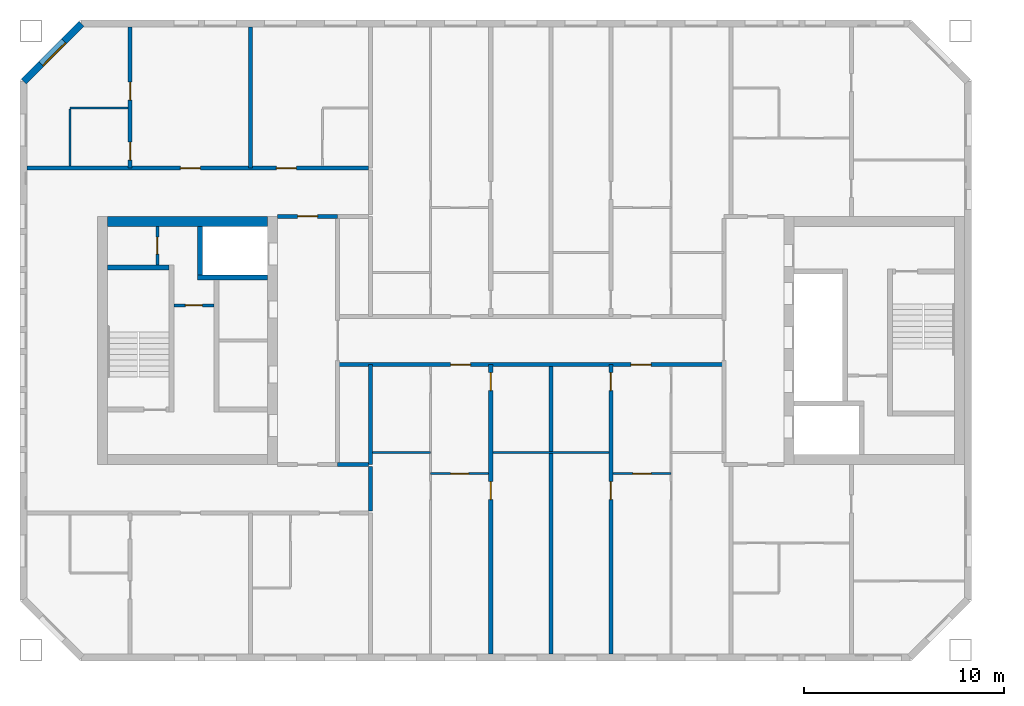
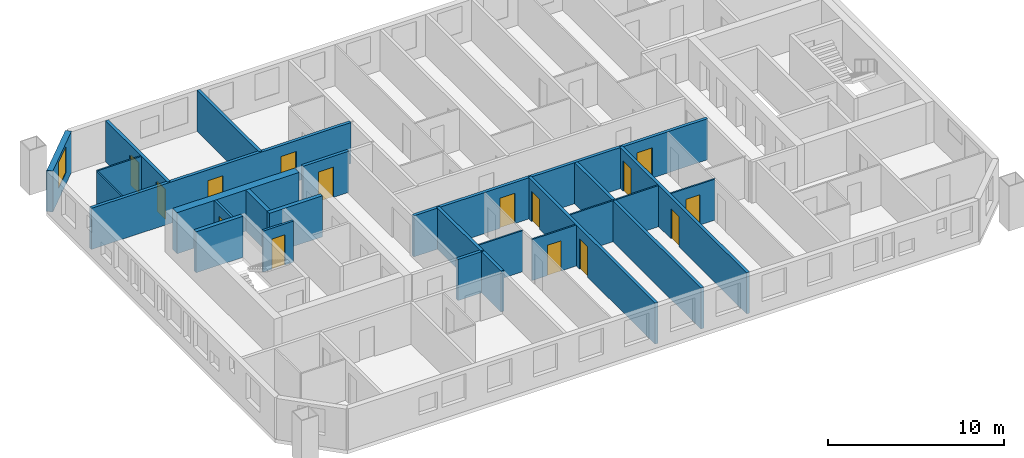
# One storey, part 4 of 16: 24 walls, 15 doors, 1 window, 16 openings.
"""IFC4 building model written with IfcOpenShell, lengths in metres."""

from ifc_helpers import new_model, si_unit, direction, frame, frame_2d, origin, place, context, subcontext, project, spatial, rectangle, extrude, material, layer, layer_set, type_object, element, fill, save


model = new_model("IFC4")

# Units and contexts
model_context = context("Model", 3, precision=1e-05, world=origin(), true_north=direction((0.0, 1.0)))
body_context = subcontext(model_context, "Body", "Model", "MODEL_VIEW")
ifc_project = project(units=[si_unit("LENGTHUNIT", "METRE"), si_unit("AREAUNIT", "SQUARE_METRE"), si_unit("VOLUMEUNIT", "CUBIC_METRE"), si_unit("PLANEANGLEUNIT", "RADIAN"), si_unit("MASSUNIT", "GRAM", prefix="KILO")], contexts=[model_context])

# Site, building, storey
site_placement = place(None, origin())
site = spatial("IfcSite", under=ifc_project, at=site_placement, CompositionType="ELEMENT")
building_placement = place(site_placement, origin())
building = spatial("IfcBuilding", under=site, at=building_placement, Name="Tuart Gate Housing", CompositionType="ELEMENT")
storey_placement = place(building_placement, frame((0.0, 0.0, 151.60009765625)))
storey = spatial("IfcBuildingStorey", under=building, at=storey_placement, Name="L42", CompositionType="ELEMENT", Elevation=151.60009765625)

# Wall, opening, window
ifc_material_1 = material(Name="Brick", Category="masonry")
ifc_layer_1 = layer(ifc_material_1, 0.360107421875)
ifc_layer_set_1 = layer_set([ifc_layer_1], Name="Brick pier and spandrel wall 360")
wall_type_1 = type_object("IfcWallType", Name="Brick pier and spandrel wall 360", PredefinedType="STANDARD", material=ifc_layer_set_1)
wall_1_placement = place(storey_placement, frame((31.57470703125, 85.820068359375, 0.0), z_axis=(0.0, 0.0, 1.0), x_axis=(-0.707106781187, -0.707106781187, 0.0)))
wall_1 = element("IfcWall", 1, at=wall_1_placement, inside=storey, type_object=wall_type_1, Name="External wall A-NW L42", PredefinedType="STANDARD", context=body_context, shape_type="SweptSolid", body=[
    extrude(rectangle(XDim=4.09375, YDim=0.360107421875, at=frame_2d((2.046875, 0.0))), origin(), (0.0, 0.0, 1.0), 2.849853515625),
])
opening_1_placement = place(wall_1_placement, frame((1.2470703125, 0.0, 0.800048828125)))
opening_1 = element("IfcOpeningElement", 2, at=opening_1_placement, cuts=wall_1, Name="Opening W1", PredefinedType="OPENING", context=body_context, shape_type="SweptSolid", body=[
    extrude(rectangle(XDim=1.60009765625, YDim=1.800048828125, at=frame_2d((0.800048828125, 0.89990234375))), frame((0.0, 0.18994140625, 0.0), z_axis=(0.0, -1.0, 0.0), x_axis=(1.0, 0.0, 0.0)), (0.0, 0.0, 1.0), 0.380126953125),
])
ifc_material_2 = material(Name="Aluminium frame with clear glass", Category="aluminium")
window_type = type_object("IfcWindowType", Name="Punched window 1600 x 1800", PartitioningType="SINGLE_PANEL", PredefinedType="WINDOW", material=ifc_material_2)
window_placement = place(opening_1_placement, origin())
window = element("IfcWindow", 3, at=window_placement, inside=storey, type_object=window_type, Name="Window W1", OverallHeight=1.800048828125, OverallWidth=1.60009765625, PartitioningType="SINGLE_PANEL", PredefinedType="WINDOW", context=body_context, shape_type="SweptSolid", body=[
    extrude(rectangle(XDim=1.60009765625, YDim=1.800048828125, at=frame_2d((0.800048828125, 0.89990234375))), frame((0.0, 0.150146484375, 0.0), z_axis=(0.0, -1.0, 0.0), x_axis=(1.0, 0.0, 0.0)), (0.0, 0.0, 1.0), 0.06005859375),
])
fill(opening_1, window)

# Wall, opening, door
ifc_material_3 = material(Name="Plasterboard partition")
ifc_layer_2 = layer(ifc_material_3, 0.14990234375)
ifc_layer_set_2 = layer_set([ifc_layer_2], Name="Core partition 150")
wall_type_2 = type_object("IfcWallType", Name="Core partition 150", PredefinedType="PARTITIONING", material=ifc_layer_set_2)
wall_2_placement = place(storey_placement, frame((38.18505859375, 71.75, 0.0), z_axis=(0.0, 0.0, 1.0), x_axis=(-1.0, 0.0, 0.0)))
wall_2 = element("IfcWall", 4, at=wall_2_placement, inside=storey, type_object=wall_type_2, Name="Core partition AK.3", PredefinedType="PARTITIONING", context=body_context, shape_type="SweptSolid", body=[
    extrude(rectangle(XDim=2.0, YDim=0.14990234375, at=frame_2d((1.0, 0.0))), origin(), (0.0, 0.0, 1.0), 2.849853515625),
])
opening_2_placement = place(wall_2_placement, frame((0.574951171875, 0.0, 0.0)))
opening_2 = element("IfcOpeningElement", 5, at=opening_2_placement, cuts=wall_2, Name="Opening D1539", PredefinedType="OPENING", context=body_context, shape_type="SweptSolid", body=[
    extrude(rectangle(XDim=0.85009765625, YDim=2.10009765625, at=frame_2d((0.425048828125, 1.050048828125))), frame((0.0, 0.0849609375, 0.0), z_axis=(0.0, -1.0, 0.0), x_axis=(1.0, 0.0, 0.0)), (0.0, 0.0, 1.0), 0.169921875),
])
ifc_material_4 = material(Name="Steel fire door", Category="steel")
door_type_1 = type_object("IfcDoorType", Name="Riser door 850 x 2100 RH", OperationType="SINGLE_SWING_RIGHT", PredefinedType="DOOR", material=ifc_material_4)
door_1_placement = place(opening_2_placement, frame((0.85009765625, 0.0, 0.0), z_axis=(0.0, 0.0, 1.0), x_axis=(-1.0, 0.0, 0.0)))
door_1 = element("IfcDoor", 6, at=door_1_placement, inside=storey, type_object=door_type_1, Name="Service room door AK.E1", OperationType="SINGLE_SWING_RIGHT", OverallHeight=2.10009765625, OverallWidth=0.85009765625, PredefinedType="DOOR", context=body_context, shape_type="SweptSolid", body=[
    extrude(rectangle(XDim=0.85009765625, YDim=2.10009765625, at=frame_2d((0.425048828125, 1.050048828125))), frame((0.0, 0.025146484375, 0.0), z_axis=(0.0, -1.0, 0.0), x_axis=(1.0, 0.0, 0.0)), (0.0, 0.0, 1.0), 0.050048828125),
])
fill(opening_2, door_1)

wall_3_placement = place(storey_placement, frame((35.360107421875, 75.699951171875, 0.0), z_axis=(0.0, 0.0, 1.0), x_axis=(0.0, -1.0, 0.0)))
wall_3 = element("IfcWall", 7, at=wall_3_placement, inside=storey, type_object=wall_type_2, Name="Core partition AK.10", PredefinedType="PARTITIONING", context=body_context, shape_type="SweptSolid", body=[
    extrude(rectangle(XDim=1.925048828125, YDim=0.14990234375, at=frame_2d((0.96240234375, 0.0))), origin(), (0.0, 0.0, 1.0), 2.849853515625),
])
opening_3_placement = place(wall_3_placement, frame((0.53759765625, 0.0, 0.0)))
opening_3 = element("IfcOpeningElement", 8, at=opening_3_placement, cuts=wall_3, Name="Opening D1537", PredefinedType="OPENING", context=body_context, shape_type="SweptSolid", body=[
    extrude(rectangle(XDim=0.85009765625, YDim=2.10009765625, at=frame_2d((0.425048828125, 1.050048828125))), frame((0.0, 0.0849609375, 0.0), z_axis=(0.0, -1.0, 0.0), x_axis=(1.0, 0.0, 0.0)), (0.0, 0.0, 1.0), 0.169921875),
])
ifc_material_5 = material(Name="Steel fire door", Category="steel")
door_type_2 = type_object("IfcDoorType", Name="Service door 850 x 2100", OperationType="SINGLE_SWING_LEFT", PredefinedType="DOOR", material=ifc_material_5)
door_2_placement = place(opening_3_placement, origin())
door_2 = element("IfcDoor", 9, at=door_2_placement, inside=storey, type_object=door_type_2, Name="Service room door AK.E2", OperationType="SINGLE_SWING_LEFT", OverallHeight=2.10009765625, OverallWidth=0.85009765625, PredefinedType="DOOR", context=body_context, shape_type="SweptSolid", body=[
    extrude(rectangle(XDim=0.85009765625, YDim=2.10009765625, at=frame_2d((0.425048828125, 1.050048828125))), frame((0.0, 0.02490234375, 0.0), z_axis=(0.0, -1.0, 0.0), x_axis=(1.0, 0.0, 0.0)), (0.0, 0.0, 1.0), 0.050048828125),
])
fill(opening_3, door_2)

# Walls
ifc_material_6 = material(Name="Concrete C40", Category="concrete")
ifc_layer_3 = layer(ifc_material_6, 0.25)
ifc_layer_set_3 = layer_set([ifc_layer_3], Name="Core wall 250 C40")
wall_type_3 = type_object("IfcWallType", Name="Core wall 250 C40", PredefinedType="SHEAR", material=ifc_layer_set_3)
wall_4_placement = place(storey_placement, frame((35.93505859375, 73.64990234375, 0.0), z_axis=(0.0, 0.0, 1.0), x_axis=(-1.0, 0.0, 0.0)))
element("IfcWall", 10, at=wall_4_placement, inside=storey, type_object=wall_type_3, Name="Core wall AK.1", PredefinedType="SHEAR", context=body_context, shape_type="SweptSolid", body=[
    extrude(rectangle(XDim=3.074951171875, YDim=0.25, at=frame_2d((1.53759765625, 0.0))), origin(), (0.0, 0.0, 1.0), 2.849853515625),
])
wall_5_placement = place(storey_placement, frame((40.860107421875, 73.14990234375, 0.0), z_axis=(0.0, 0.0, 1.0), x_axis=(-1.0, 0.0, 0.0)))
element("IfcWall", 11, at=wall_5_placement, inside=storey, type_object=wall_type_3, Name="Core wall AK.2", PredefinedType="SHEAR", context=body_context, shape_type="SweptSolid", body=[
    extrude(rectangle(XDim=3.4951171875, YDim=0.25, at=frame_2d((1.74755859375, 0.0))), origin(), (0.0, 0.0, 1.0), 2.849853515625),
])
wall_6_placement = place(storey_placement, frame((37.489990234375, 75.699951171875, 0.0), z_axis=(0.0, 0.0, 1.0), x_axis=(0.0, -1.0, 0.0)))
element("IfcWall", 12, at=wall_6_placement, inside=storey, type_object=wall_type_3, Name="Core wall AK.8", PredefinedType="SHEAR", context=body_context, shape_type="SweptSolid", body=[
    extrude(rectangle(XDim=2.425048828125, YDim=0.25, at=frame_2d((1.21240234375, 0.0))), origin(), (0.0, 0.0, 1.0), 2.849853515625),
])
ifc_material_7 = material(Name="Concrete C40", Category="concrete")
ifc_layer_4 = layer(ifc_material_7, 0.5)
ifc_layer_set_4 = layer_set([ifc_layer_4], Name="Core wall 500 C40")
wall_type_4 = type_object("IfcWallType", Name="Core wall 500 C40", PredefinedType="SHEAR", material=ifc_layer_set_4)
wall_7_placement = place(storey_placement, frame((40.860107421875, 75.949951171875, 0.0), z_axis=(0.0, 0.0, 1.0), x_axis=(-1.0, 0.0, 0.0)))
element("IfcWall", 13, at=wall_7_placement, inside=storey, type_object=wall_type_4, Name="Core wall AK south", PredefinedType="SHEAR", context=body_context, shape_type="SweptSolid", body=[
    extrude(rectangle(XDim=8.0, YDim=0.5, at=frame_2d((4.0, 0.0))), origin(), (0.0, 0.0, 1.0), 2.849853515625),
])
ifc_material_8 = material(Name="Concrete masonry 15 MPa", Category="masonry")
ifc_layer_5 = layer(ifc_material_8, 0.199951171875)
ifc_layer_set_5 = layer_set([ifc_layer_5], Name="Corridor wall masonry 200")
wall_type_5 = type_object("IfcWallType", Name="Corridor wall masonry 200", PredefinedType="PARTITIONING", material=ifc_layer_set_5)
wall_8_placement = place(storey_placement, frame((44.360107421875, 63.800048828125, 0.0), z_axis=(0.0, 0.0, 1.0), x_axis=(1.0, 0.0, 0.0)))
element("IfcWall", 14, at=wall_8_placement, inside=storey, type_object=wall_type_5, Name="Corridor wall masonry 200", PredefinedType="PARTITIONING", context=body_context, shape_type="SweptSolid", body=[
    extrude(rectangle(XDim=1.539794921875, YDim=0.199951171875, at=frame_2d((0.77001953125, 0.0))), origin(), (0.0, 0.0, 1.0), 2.849853515625),
])

# Wall, openings, doors
wall_9_placement = place(storey_placement, frame((44.360107421875, 68.800048828125, 0.0), z_axis=(0.0, 0.0, 1.0), x_axis=(1.0, 0.0, 0.0)))
wall_9 = element("IfcWall", 15, at=wall_9_placement, inside=storey, type_object=wall_type_5, Name="Corridor wall masonry 200", PredefinedType="PARTITIONING", context=body_context, shape_type="SweptSolid", body=[
    extrude(rectangle(XDim=19.27978515625, YDim=0.199951171875, at=frame_2d((9.639892578125, 0.0))), origin(), (0.0, 0.0, 1.0), 2.849853515625),
])
opening_4_placement = place(wall_9_placement, frame((14.639892578125, 0.0, 0.0)))
opening_4 = element("IfcOpeningElement", 16, at=opening_4_placement, cuts=wall_9, Name="Opening D1548", PredefinedType="OPENING", context=body_context, shape_type="SweptSolid", body=[
    extrude(rectangle(XDim=1.0, YDim=2.10009765625, at=frame_2d((0.5, 1.050048828125))), frame((0.0, 0.10986328125, 0.0), z_axis=(0.0, -1.0, 0.0), x_axis=(1.0, 0.0, 0.0)), (0.0, 0.0, 1.0), 0.219970703125),
])
opening_5_placement = place(wall_9_placement, frame((5.639892578125, 0.0, 0.0)))
opening_5 = element("IfcOpeningElement", 17, at=opening_5_placement, cuts=wall_9, Name="Opening D1549", PredefinedType="OPENING", context=body_context, shape_type="SweptSolid", body=[
    extrude(rectangle(XDim=1.0, YDim=2.10009765625, at=frame_2d((0.5, 1.050048828125))), frame((0.0, 0.10986328125, 0.0), z_axis=(0.0, -1.0, 0.0), x_axis=(1.0, 0.0, 0.0)), (0.0, 0.0, 1.0), 0.219970703125),
])
ifc_material_9 = material(Name="Timber door leaf in steel frame", Category="steel")
door_type_3 = type_object("IfcDoorType", Name="Flat entrance door 1000 RH", OperationType="SINGLE_SWING_RIGHT", PredefinedType="DOOR", material=ifc_material_9)
door_3_placement = place(opening_4_placement, frame((1.0, 0.0, 0.0), z_axis=(0.0, 0.0, 1.0), x_axis=(-1.0, 0.0, 0.0)))
door_3 = element("IfcDoor", 18, at=door_3_placement, inside=storey, type_object=door_type_3, Name="Flat entrance door", OperationType="SINGLE_SWING_RIGHT", OverallHeight=2.10009765625, OverallWidth=1.0, PredefinedType="DOOR", context=body_context, shape_type="SweptSolid", body=[
    extrude(rectangle(XDim=1.0, YDim=2.10009765625, at=frame_2d((0.5, 1.050048828125))), frame((0.0, 0.025146484375, 0.0), z_axis=(0.0, -1.0, 0.0), x_axis=(1.0, 0.0, 0.0)), (0.0, 0.0, 1.0), 0.050048828125),
])
fill(opening_4, door_3)
door_4_placement = place(opening_5_placement, frame((1.0, 0.0, 0.0), z_axis=(0.0, 0.0, 1.0), x_axis=(-1.0, 0.0, 0.0)))
door_4 = element("IfcDoor", 19, at=door_4_placement, inside=storey, type_object=door_type_3, Name="Flat entrance door", OperationType="SINGLE_SWING_RIGHT", OverallHeight=2.10009765625, OverallWidth=1.0, PredefinedType="DOOR", context=body_context, shape_type="SweptSolid", body=[
    extrude(rectangle(XDim=1.0, YDim=2.10009765625, at=frame_2d((0.5, 1.050048828125))), frame((0.0, 0.025146484375, 0.0), z_axis=(0.0, -1.0, 0.0), x_axis=(1.0, 0.0, 0.0)), (0.0, 0.0, 1.0), 0.050048828125),
])
fill(opening_5, door_4)

wall_10_placement = place(storey_placement, frame((28.860107421875, 78.60009765625, 0.0), z_axis=(0.0, 0.0, 1.0), x_axis=(1.0, 0.0, 0.0)))
wall_10 = element("IfcWall", 20, at=wall_10_placement, inside=storey, type_object=wall_type_5, Name="Corridor wall masonry 200", PredefinedType="PARTITIONING", context=body_context, shape_type="SweptSolid", body=[
    extrude(rectangle(XDim=17.039794921875, YDim=0.199951171875, at=frame_2d((8.52001953125, 0.0))), origin(), (0.0, 0.0, 1.0), 2.849853515625),
])
opening_6_placement = place(wall_10_placement, frame((12.43994140625, 0.0, 0.0)))
opening_6 = element("IfcOpeningElement", 21, at=opening_6_placement, cuts=wall_10, Name="Opening D1523", PredefinedType="OPENING", context=body_context, shape_type="SweptSolid", body=[
    extrude(rectangle(XDim=1.0, YDim=2.10009765625, at=frame_2d((0.5, 1.050048828125))), frame((0.0, 0.10986328125, 0.0), z_axis=(0.0, -1.0, 0.0), x_axis=(1.0, 0.0, 0.0)), (0.0, 0.0, 1.0), 0.219970703125),
])
opening_7_placement = place(wall_10_placement, frame((7.639892578125, 0.0, 0.0)))
opening_7 = element("IfcOpeningElement", 22, at=opening_7_placement, cuts=wall_10, Name="Opening D1524", PredefinedType="OPENING", context=body_context, shape_type="SweptSolid", body=[
    extrude(rectangle(XDim=1.0, YDim=2.10009765625, at=frame_2d((0.5, 1.050048828125))), frame((0.0, 0.10986328125, 0.0), z_axis=(0.0, -1.0, 0.0), x_axis=(1.0, 0.0, 0.0)), (0.0, 0.0, 1.0), 0.219970703125),
])
ifc_material_10 = material(Name="Timber door leaf in steel frame", Category="steel")
door_type_4 = type_object("IfcDoorType", Name="Flat entrance door 1000", OperationType="SINGLE_SWING_LEFT", PredefinedType="DOOR", material=ifc_material_10)
door_5_placement = place(opening_6_placement, origin())
door_5 = element("IfcDoor", 23, at=door_5_placement, inside=storey, type_object=door_type_4, Name="Flat entrance door", OperationType="SINGLE_SWING_LEFT", OverallHeight=2.10009765625, OverallWidth=1.0, PredefinedType="DOOR", context=body_context, shape_type="SweptSolid", body=[
    extrude(rectangle(XDim=1.0, YDim=2.10009765625, at=frame_2d((0.5, 1.050048828125))), frame((0.0, 0.02490234375, 0.0), z_axis=(0.0, -1.0, 0.0), x_axis=(1.0, 0.0, 0.0)), (0.0, 0.0, 1.0), 0.050048828125),
])
fill(opening_6, door_5)
door_6_placement = place(opening_7_placement, origin())
door_6 = element("IfcDoor", 24, at=door_6_placement, inside=storey, type_object=door_type_4, Name="Flat entrance door", OperationType="SINGLE_SWING_LEFT", OverallHeight=2.10009765625, OverallWidth=1.0, PredefinedType="DOOR", context=body_context, shape_type="SweptSolid", body=[
    extrude(rectangle(XDim=1.0, YDim=2.10009765625, at=frame_2d((0.5, 1.050048828125))), frame((0.0, 0.02490234375, 0.0), z_axis=(0.0, -1.0, 0.0), x_axis=(1.0, 0.0, 0.0)), (0.0, 0.0, 1.0), 0.050048828125),
])
fill(opening_7, door_6)

# Wall
wall_11_placement = place(storey_placement, frame((46.0, 61.5, 0.0), z_axis=(0.0, 0.0, 1.0), x_axis=(0.0, 1.0, 0.0)))
element("IfcWall", 25, at=wall_11_placement, inside=storey, type_object=wall_type_5, Name="Corridor wall masonry 200", PredefinedType="PARTITIONING", context=body_context, shape_type="SweptSolid", body=[
    extrude(rectangle(XDim=2.199951171875, YDim=0.199951171875, at=frame_2d((1.10009765625, 0.0))), origin(), (0.0, 0.0, 1.0), 2.849853515625),
])

# Wall, opening, door
ifc_material_11 = material(Name="Concrete masonry 15 MPa", Category="masonry")
ifc_layer_6 = layer(ifc_material_11, 0.199951171875)
ifc_layer_set_6 = layer_set([ifc_layer_6], Name="Enclosure wall masonry 200")
wall_type_6 = type_object("IfcWallType", Name="Enclosure wall masonry 200", PredefinedType="PARTITIONING", material=ifc_layer_set_6)
wall_12_placement = place(storey_placement, frame((41.360107421875, 76.199951171875, 0.0), z_axis=(0.0, 0.0, 1.0), x_axis=(1.0, 0.0, 0.0)))
wall_12 = element("IfcWall", 26, at=wall_12_placement, inside=storey, type_object=wall_type_6, Name="Enclosure wall masonry 200", PredefinedType="PARTITIONING", context=body_context, shape_type="SweptSolid", body=[
    extrude(rectangle(XDim=3.0, YDim=0.199951171875, at=frame_2d((1.5, 0.0))), origin(), (0.0, 0.0, 1.0), 2.849853515625),
])
opening_8_placement = place(wall_12_placement, frame((1.0, 0.0, 0.0)))
opening_8 = element("IfcOpeningElement", 27, at=opening_8_placement, cuts=wall_12, Name="Opening D1535", PredefinedType="OPENING", context=body_context, shape_type="SweptSolid", body=[
    extrude(rectangle(XDim=1.0, YDim=2.10009765625, at=frame_2d((0.5, 1.050048828125))), frame((0.0, 0.10986328125, 0.0), z_axis=(0.0, -1.0, 0.0), x_axis=(1.0, 0.0, 0.0)), (0.0, 0.0, 1.0), 0.219970703125),
])
ifc_material_12 = material(Name="Timber door leaf in steel frame", Category="steel")
door_type_5 = type_object("IfcDoorType", Name="Fire door 1000 RH", OperationType="SINGLE_SWING_RIGHT", PredefinedType="DOOR", material=ifc_material_12)
door_7_placement = place(opening_8_placement, origin())
door_7 = element("IfcDoor", 28, at=door_7_placement, inside=storey, type_object=door_type_5, Name="Fire door", OperationType="SINGLE_SWING_RIGHT", OverallHeight=2.10009765625, OverallWidth=1.0, PredefinedType="DOOR", context=body_context, shape_type="SweptSolid", body=[
    extrude(rectangle(XDim=1.0, YDim=2.10009765625, at=frame_2d((0.5, 1.050048828125))), frame((0.0, 0.02490234375, 0.0), z_axis=(0.0, -1.0, 0.0), x_axis=(1.0, 0.0, 0.0)), (0.0, 0.0, 1.0), 0.050048828125),
])
fill(opening_8, door_7)

ifc_material_13 = material(Name="Gypsum board on steel studs", Category="steel")
ifc_layer_7 = layer(ifc_material_13, 0.10009765625)
ifc_layer_set_7 = layer_set([ifc_layer_7], Name="Partition 100")
wall_type_7 = type_object("IfcWallType", Name="Partition 100", PredefinedType="PARTITIONING", material=ifc_layer_set_7)
wall_13_placement = place(storey_placement, frame((49.0, 63.360107421875, 0.0), z_axis=(0.0, 0.0, 1.0), x_axis=(1.0, 0.0, 0.0)))
wall_13 = element("IfcWall", 29, at=wall_13_placement, inside=storey, type_object=wall_type_7, Name="Partition 100", PredefinedType="PARTITIONING", context=body_context, shape_type="SweptSolid", body=[
    extrude(rectangle(XDim=2.89990234375, YDim=0.10009765625, at=frame_2d((1.449951171875, 0.0))), origin(), (0.0, 0.0, 1.0), 2.849853515625),
])
opening_9_placement = place(wall_13_placement, frame((1.0, 0.0, 0.0)))
opening_9 = element("IfcOpeningElement", 30, at=opening_9_placement, cuts=wall_13, Name="Opening D1554", PredefinedType="OPENING", context=body_context, shape_type="SweptSolid", body=[
    extrude(rectangle(XDim=0.89990234375, YDim=2.10009765625, at=frame_2d((0.449951171875, 1.050048828125))), frame((0.0, 0.06005859375, 0.0), z_axis=(0.0, -1.0, 0.0), x_axis=(1.0, 0.0, 0.0)), (0.0, 0.0, 1.0), 0.1201171875),
])
ifc_material_14 = material(Name="Timber door leaf in steel frame", Category="steel")
door_type_6 = type_object("IfcDoorType", Name="Internal door 900", OperationType="SINGLE_SWING_LEFT", PredefinedType="DOOR", material=ifc_material_14)
door_8_placement = place(opening_9_placement, origin())
door_8 = element("IfcDoor", 31, at=door_8_placement, inside=storey, type_object=door_type_6, Name="Internal door", OperationType="SINGLE_SWING_LEFT", OverallHeight=2.10009765625, OverallWidth=0.89990234375, PredefinedType="DOOR", context=body_context, shape_type="SweptSolid", body=[
    extrude(rectangle(XDim=0.89990234375, YDim=2.10009765625, at=frame_2d((0.449951171875, 1.050048828125))), frame((0.0, 0.02490234375, 0.0), z_axis=(0.0, -1.0, 0.0), x_axis=(1.0, 0.0, 0.0)), (0.0, 0.0, 1.0), 0.050048828125),
])
fill(opening_9, door_8)

wall_14_placement = place(storey_placement, frame((58.10009765625, 63.360107421875, 0.0), z_axis=(0.0, 0.0, 1.0), x_axis=(1.0, 0.0, 0.0)))
wall_14 = element("IfcWall", 32, at=wall_14_placement, inside=storey, type_object=wall_type_7, Name="Partition 100", PredefinedType="PARTITIONING", context=body_context, shape_type="SweptSolid", body=[
    extrude(rectangle(XDim=2.89990234375, YDim=0.10009765625, at=frame_2d((1.449951171875, 0.0))), origin(), (0.0, 0.0, 1.0), 2.849853515625),
])
opening_10_placement = place(wall_14_placement, frame((1.0, 0.0, 0.0)))
opening_10 = element("IfcOpeningElement", 33, at=opening_10_placement, cuts=wall_14, Name="Opening D1555", PredefinedType="OPENING", context=body_context, shape_type="SweptSolid", body=[
    extrude(rectangle(XDim=0.89990234375, YDim=2.10009765625, at=frame_2d((0.449951171875, 1.050048828125))), frame((0.0, 0.06005859375, 0.0), z_axis=(0.0, -1.0, 0.0), x_axis=(1.0, 0.0, 0.0)), (0.0, 0.0, 1.0), 0.1201171875),
])
ifc_material_15 = material(Name="Timber door leaf in steel frame", Category="steel")
door_type_7 = type_object("IfcDoorType", Name="Internal door 900 RH", OperationType="SINGLE_SWING_RIGHT", PredefinedType="DOOR", material=ifc_material_15)
door_9_placement = place(opening_10_placement, origin())
door_9 = element("IfcDoor", 34, at=door_9_placement, inside=storey, type_object=door_type_7, Name="Internal door", OperationType="SINGLE_SWING_RIGHT", OverallHeight=2.10009765625, OverallWidth=0.89990234375, PredefinedType="DOOR", context=body_context, shape_type="SweptSolid", body=[
    extrude(rectangle(XDim=0.89990234375, YDim=2.10009765625, at=frame_2d((0.449951171875, 1.050048828125))), frame((0.0, 0.02490234375, 0.0), z_axis=(0.0, -1.0, 0.0), x_axis=(1.0, 0.0, 0.0)), (0.0, 0.0, 1.0), 0.050048828125),
])
fill(opening_10, door_9)

# Walls
wall_15_placement = place(storey_placement, frame((46.10009765625, 64.39990234375, 0.0), z_axis=(0.0, 0.0, 1.0), x_axis=(1.0, 0.0, 0.0)))
element("IfcWall", 35, at=wall_15_placement, inside=storey, type_object=wall_type_7, Name="Partition 100", PredefinedType="PARTITIONING", context=body_context, shape_type="SweptSolid", body=[
    extrude(rectangle(XDim=2.89990234375, YDim=0.10009765625, at=frame_2d((1.449951171875, 0.0))), origin(), (0.0, 0.0, 1.0), 2.849853515625),
])
wall_16_placement = place(storey_placement, frame((52.10009765625, 64.39990234375, 0.0), z_axis=(0.0, 0.0, 1.0), x_axis=(1.0, 0.0, 0.0)))
element("IfcWall", 36, at=wall_16_placement, inside=storey, type_object=wall_type_7, Name="Partition 100", PredefinedType="PARTITIONING", context=body_context, shape_type="SweptSolid", body=[
    extrude(rectangle(XDim=5.7998046875, YDim=0.10009765625, at=frame_2d((2.89990234375, 0.0))), origin(), (0.0, 0.0, 1.0), 2.849853515625),
])
wall_17_placement = place(storey_placement, frame((31.0, 81.60009765625, 0.0), z_axis=(0.0, 0.0, 1.0), x_axis=(1.0, 0.0, 0.0)))
element("IfcWall", 37, at=wall_17_placement, inside=storey, type_object=wall_type_7, Name="Partition 100", PredefinedType="PARTITIONING", context=body_context, shape_type="SweptSolid", body=[
    extrude(rectangle(XDim=2.89990234375, YDim=0.10009765625, at=frame_2d((1.449951171875, 0.0))), origin(), (0.0, 0.0, 1.0), 2.849853515625),
])
wall_18_placement = place(storey_placement, frame((31.0, 78.699951171875, 0.0), z_axis=(0.0, 0.0, 1.0), x_axis=(0.0, 1.0, 0.0)))
element("IfcWall", 38, at=wall_18_placement, inside=storey, type_object=wall_type_7, Name="Partition 100", PredefinedType="PARTITIONING", context=body_context, shape_type="SweptSolid", body=[
    extrude(rectangle(XDim=2.85009765625, YDim=0.10009765625, at=frame_2d((1.425048828125, 0.0))), origin(), (0.0, 0.0, 1.0), 2.849853515625),
])

# Wall, openings, doors
ifc_material_16 = material(Name="Concrete C40", Category="concrete")
ifc_layer_8 = layer(ifc_material_16, 0.199951171875)
ifc_layer_set_8 = layer_set([ifc_layer_8], Name="Party wall concrete C40 200")
wall_type_8 = type_object("IfcWallType", Name="Party wall concrete C40 200", PredefinedType="SOLIDWALL", material=ifc_layer_set_8)
wall_19_placement = place(storey_placement, frame((34.0, 78.60009765625, 0.0), z_axis=(0.0, 0.0, 1.0), x_axis=(0.0, 1.0, 0.0)))
wall_19 = element("IfcWall", 39, at=wall_19_placement, inside=storey, type_object=wall_type_8, Name="Party wall concrete C40 200", PredefinedType="SOLIDWALL", context=body_context, shape_type="SweptSolid", body=[
    extrude(rectangle(XDim=7.039794921875, YDim=0.199951171875, at=frame_2d((3.52001953125, 0.0))), origin(), (0.0, 0.0, 1.0), 2.849853515625),
])
opening_11_placement = place(wall_19_placement, frame((3.39990234375, 0.0, 0.0)))
opening_11 = element("IfcOpeningElement", 40, at=opening_11_placement, cuts=wall_19, Name="Opening D1517", PredefinedType="OPENING", context=body_context, shape_type="SweptSolid", body=[
    extrude(rectangle(XDim=0.89990234375, YDim=2.10009765625, at=frame_2d((0.449951171875, 1.050048828125))), frame((0.0, 0.10986328125, 0.0), z_axis=(0.0, -1.0, 0.0), x_axis=(1.0, 0.0, 0.0)), (0.0, 0.0, 1.0), 0.219970703125),
])
opening_12_placement = place(wall_19_placement, frame((0.39990234375, 0.0, 0.0)))
opening_12 = element("IfcOpeningElement", 41, at=opening_12_placement, cuts=wall_19, Name="Opening D1516", PredefinedType="OPENING", context=body_context, shape_type="SweptSolid", body=[
    extrude(rectangle(XDim=0.89990234375, YDim=2.10009765625, at=frame_2d((0.449951171875, 1.050048828125))), frame((0.0, 0.10986328125, 0.0), z_axis=(0.0, -1.0, 0.0), x_axis=(1.0, 0.0, 0.0)), (0.0, 0.0, 1.0), 0.219970703125),
])
ifc_material_17 = material(Name="Timber door leaf in steel frame", Category="steel")
door_type_8 = type_object("IfcDoorType", Name="Bathroom door 900", OperationType="SINGLE_SWING_LEFT", PredefinedType="DOOR", material=ifc_material_17)
door_10_placement = place(opening_12_placement, origin())
door_10 = element("IfcDoor", 42, at=door_10_placement, inside=storey, type_object=door_type_8, Name="Bathroom door", OperationType="SINGLE_SWING_LEFT", OverallHeight=2.10009765625, OverallWidth=0.89990234375, PredefinedType="DOOR", context=body_context, shape_type="SweptSolid", body=[
    extrude(rectangle(XDim=0.89990234375, YDim=2.10009765625, at=frame_2d((0.449951171875, 1.050048828125))), frame((0.0, 0.02490234375, 0.0), z_axis=(0.0, -1.0, 0.0), x_axis=(1.0, 0.0, 0.0)), (0.0, 0.0, 1.0), 0.050048828125),
])
fill(opening_12, door_10)
door_11_placement = place(opening_11_placement, origin())
door_11 = element("IfcDoor", 43, at=door_11_placement, inside=storey, type_object=door_type_6, Name="Internal door", OperationType="SINGLE_SWING_LEFT", OverallHeight=2.10009765625, OverallWidth=0.89990234375, PredefinedType="DOOR", context=body_context, shape_type="SweptSolid", body=[
    extrude(rectangle(XDim=0.89990234375, YDim=2.10009765625, at=frame_2d((0.449951171875, 1.050048828125))), frame((0.0, 0.02490234375, 0.0), z_axis=(0.0, -1.0, 0.0), x_axis=(1.0, 0.0, 0.0)), (0.0, 0.0, 1.0), 0.050048828125),
])
fill(opening_11, door_11)

# Walls
wall_20_placement = place(storey_placement, frame((40.0, 78.60009765625, 0.0), z_axis=(0.0, 0.0, 1.0), x_axis=(0.0, 1.0, 0.0)))
element("IfcWall", 44, at=wall_20_placement, inside=storey, type_object=wall_type_8, Name="Party wall concrete C40 200", PredefinedType="SOLIDWALL", context=body_context, shape_type="SweptSolid", body=[
    extrude(rectangle(XDim=7.039794921875, YDim=0.199951171875, at=frame_2d((3.52001953125, 0.0))), origin(), (0.0, 0.0, 1.0), 2.849853515625),
])
wall_21_placement = place(storey_placement, frame((46.0, 63.800048828125, 0.0), z_axis=(0.0, 0.0, 1.0), x_axis=(0.0, 1.0, 0.0)))
element("IfcWall", 45, at=wall_21_placement, inside=storey, type_object=wall_type_8, Name="Party wall concrete C40 200", PredefinedType="SOLIDWALL", context=body_context, shape_type="SweptSolid", body=[
    extrude(rectangle(XDim=5.0, YDim=0.199951171875, at=frame_2d((2.5, 0.0))), origin(), (0.0, 0.0, 1.0), 2.849853515625),
])

# Wall, openings, doors
wall_22_placement = place(storey_placement, frame((52.0, 54.360107421875, 0.0), z_axis=(0.0, 0.0, 1.0), x_axis=(0.0, 1.0, 0.0)))
wall_22 = element("IfcWall", 46, at=wall_22_placement, inside=storey, type_object=wall_type_8, Name="Party wall concrete C40 200", PredefinedType="SOLIDWALL", context=body_context, shape_type="SweptSolid", body=[
    extrude(rectangle(XDim=14.43994140625, YDim=0.199951171875, at=frame_2d((7.219970703125, 0.0))), origin(), (0.0, 0.0, 1.0), 2.849853515625),
])
opening_13_placement = place(wall_22_placement, frame((7.699951171875, 0.0, 0.0)))
opening_13 = element("IfcOpeningElement", 47, at=opening_13_placement, cuts=wall_22, Name="Opening D1557", PredefinedType="OPENING", context=body_context, shape_type="SweptSolid", body=[
    extrude(rectangle(XDim=0.89990234375, YDim=2.10009765625, at=frame_2d((0.449951171875, 1.050048828125))), frame((0.0, 0.10986328125, 0.0), z_axis=(0.0, -1.0, 0.0), x_axis=(1.0, 0.0, 0.0)), (0.0, 0.0, 1.0), 0.219970703125),
])
opening_14_placement = place(wall_22_placement, frame((13.139892578125, 0.0, 0.0)))
opening_14 = element("IfcOpeningElement", 48, at=opening_14_placement, cuts=wall_22, Name="Opening D1556", PredefinedType="OPENING", context=body_context, shape_type="SweptSolid", body=[
    extrude(rectangle(XDim=0.89990234375, YDim=2.10009765625, at=frame_2d((0.449951171875, 1.050048828125))), frame((0.0, 0.10986328125, 0.0), z_axis=(0.0, -1.0, 0.0), x_axis=(1.0, 0.0, 0.0)), (0.0, 0.0, 1.0), 0.219970703125),
])
door_12_placement = place(opening_14_placement, frame((0.89990234375, 0.0, 0.0), z_axis=(0.0, 0.0, 1.0), x_axis=(-1.0, 0.0, 0.0)))
door_12 = element("IfcDoor", 49, at=door_12_placement, inside=storey, type_object=door_type_8, Name="Bathroom door", OperationType="SINGLE_SWING_LEFT", OverallHeight=2.10009765625, OverallWidth=0.89990234375, PredefinedType="DOOR", context=body_context, shape_type="SweptSolid", body=[
    extrude(rectangle(XDim=0.89990234375, YDim=2.10009765625, at=frame_2d((0.449951171875, 1.050048828125))), frame((0.0, 0.025146484375, 0.0), z_axis=(0.0, -1.0, 0.0), x_axis=(1.0, 0.0, 0.0)), (0.0, 0.0, 1.0), 0.050048828125),
])
fill(opening_14, door_12)
door_13_placement = place(opening_13_placement, frame((0.89990234375, 0.0, 0.0), z_axis=(0.0, 0.0, 1.0), x_axis=(-1.0, 0.0, 0.0)))
door_13 = element("IfcDoor", 50, at=door_13_placement, inside=storey, type_object=door_type_6, Name="Internal door", OperationType="SINGLE_SWING_LEFT", OverallHeight=2.10009765625, OverallWidth=0.89990234375, PredefinedType="DOOR", context=body_context, shape_type="SweptSolid", body=[
    extrude(rectangle(XDim=0.89990234375, YDim=2.10009765625, at=frame_2d((0.449951171875, 1.050048828125))), frame((0.0, 0.025146484375, 0.0), z_axis=(0.0, -1.0, 0.0), x_axis=(1.0, 0.0, 0.0)), (0.0, 0.0, 1.0), 0.050048828125),
])
fill(opening_13, door_13)

wall_23_placement = place(storey_placement, frame((58.0, 54.360107421875, 0.0), z_axis=(0.0, 0.0, 1.0), x_axis=(0.0, 1.0, 0.0)))
wall_23 = element("IfcWall", 51, at=wall_23_placement, inside=storey, type_object=wall_type_8, Name="Party wall concrete C40 200", PredefinedType="SOLIDWALL", context=body_context, shape_type="SweptSolid", body=[
    extrude(rectangle(XDim=14.43994140625, YDim=0.199951171875, at=frame_2d((7.219970703125, 0.0))), origin(), (0.0, 0.0, 1.0), 2.849853515625),
])
opening_15_placement = place(wall_23_placement, frame((7.699951171875, 0.0, 0.0)))
opening_15 = element("IfcOpeningElement", 52, at=opening_15_placement, cuts=wall_23, Name="Opening D1559", PredefinedType="OPENING", context=body_context, shape_type="SweptSolid", body=[
    extrude(rectangle(XDim=0.89990234375, YDim=2.10009765625, at=frame_2d((0.449951171875, 1.050048828125))), frame((0.0, 0.10986328125, 0.0), z_axis=(0.0, -1.0, 0.0), x_axis=(1.0, 0.0, 0.0)), (0.0, 0.0, 1.0), 0.219970703125),
])
opening_16_placement = place(wall_23_placement, frame((13.139892578125, 0.0, 0.0)))
opening_16 = element("IfcOpeningElement", 53, at=opening_16_placement, cuts=wall_23, Name="Opening D1558", PredefinedType="OPENING", context=body_context, shape_type="SweptSolid", body=[
    extrude(rectangle(XDim=0.89990234375, YDim=2.10009765625, at=frame_2d((0.449951171875, 1.050048828125))), frame((0.0, 0.10986328125, 0.0), z_axis=(0.0, -1.0, 0.0), x_axis=(1.0, 0.0, 0.0)), (0.0, 0.0, 1.0), 0.219970703125),
])
ifc_material_18 = material(Name="Timber door leaf in steel frame", Category="steel")
door_type_9 = type_object("IfcDoorType", Name="Bathroom door 900 RH", OperationType="SINGLE_SWING_RIGHT", PredefinedType="DOOR", material=ifc_material_18)
door_14_placement = place(opening_16_placement, origin())
door_14 = element("IfcDoor", 54, at=door_14_placement, inside=storey, type_object=door_type_9, Name="Bathroom door", OperationType="SINGLE_SWING_RIGHT", OverallHeight=2.10009765625, OverallWidth=0.89990234375, PredefinedType="DOOR", context=body_context, shape_type="SweptSolid", body=[
    extrude(rectangle(XDim=0.89990234375, YDim=2.10009765625, at=frame_2d((0.449951171875, 1.050048828125))), frame((0.0, 0.02490234375, 0.0), z_axis=(0.0, -1.0, 0.0), x_axis=(1.0, 0.0, 0.0)), (0.0, 0.0, 1.0), 0.050048828125),
])
fill(opening_16, door_14)
door_15_placement = place(opening_15_placement, origin())
door_15 = element("IfcDoor", 55, at=door_15_placement, inside=storey, type_object=door_type_7, Name="Internal door", OperationType="SINGLE_SWING_RIGHT", OverallHeight=2.10009765625, OverallWidth=0.89990234375, PredefinedType="DOOR", context=body_context, shape_type="SweptSolid", body=[
    extrude(rectangle(XDim=0.89990234375, YDim=2.10009765625, at=frame_2d((0.449951171875, 1.050048828125))), frame((0.0, 0.02490234375, 0.0), z_axis=(0.0, -1.0, 0.0), x_axis=(1.0, 0.0, 0.0)), (0.0, 0.0, 1.0), 0.050048828125),
])
fill(opening_15, door_15)

# Wall
ifc_material_19 = material(Name="Concrete masonry 15 MPa", Category="masonry")
ifc_layer_9 = layer(ifc_material_19, 0.199951171875)
ifc_layer_set_9 = layer_set([ifc_layer_9], Name="Party wall masonry 200")
wall_type_9 = type_object("IfcWallType", Name="Party wall masonry 200", PredefinedType="PARTITIONING", material=ifc_layer_set_9)
wall_24_placement = place(storey_placement, frame((55.0, 54.360107421875, 0.0), z_axis=(0.0, 0.0, 1.0), x_axis=(0.0, 1.0, 0.0)))
element("IfcWall", 56, at=wall_24_placement, inside=storey, type_object=wall_type_9, Name="Party wall masonry 200", PredefinedType="PARTITIONING", context=body_context, shape_type="SweptSolid", body=[
    extrude(rectangle(XDim=14.33984375, YDim=0.199951171875, at=frame_2d((7.169921875, 0.0))), origin(), (0.0, 0.0, 1.0), 2.849853515625),
])

save(model, "model.ifc")
